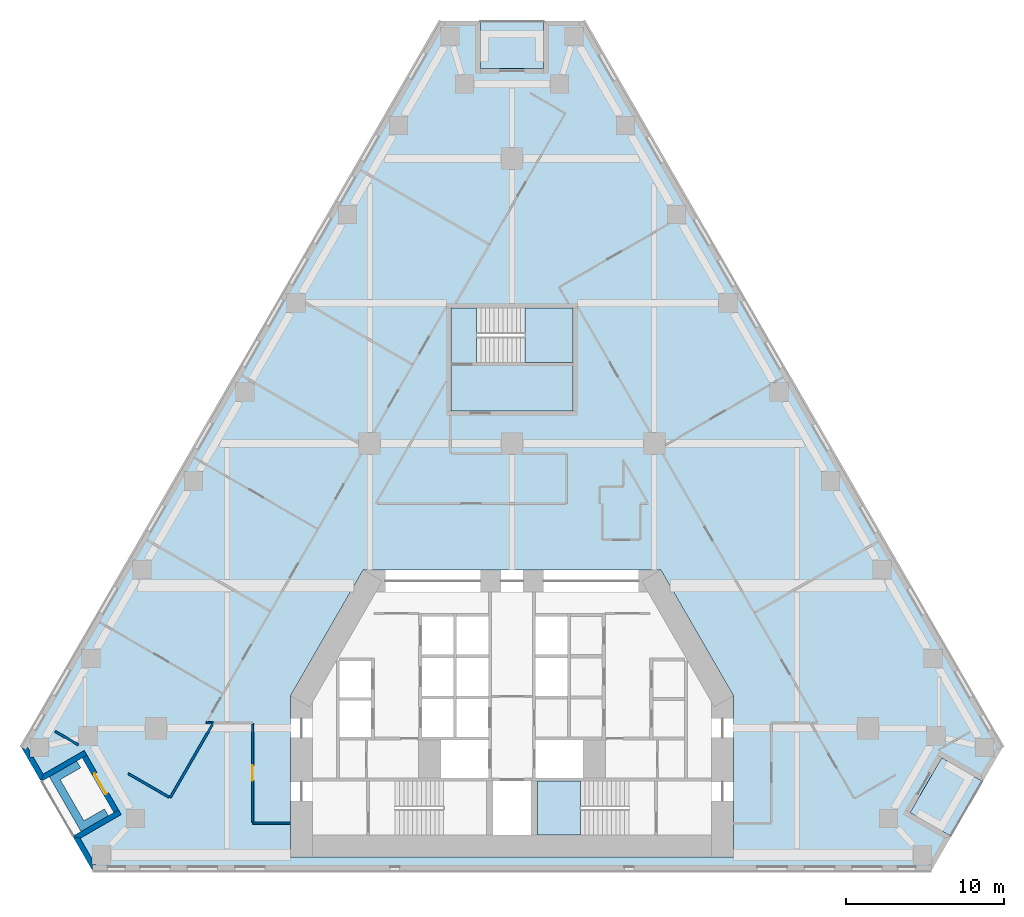
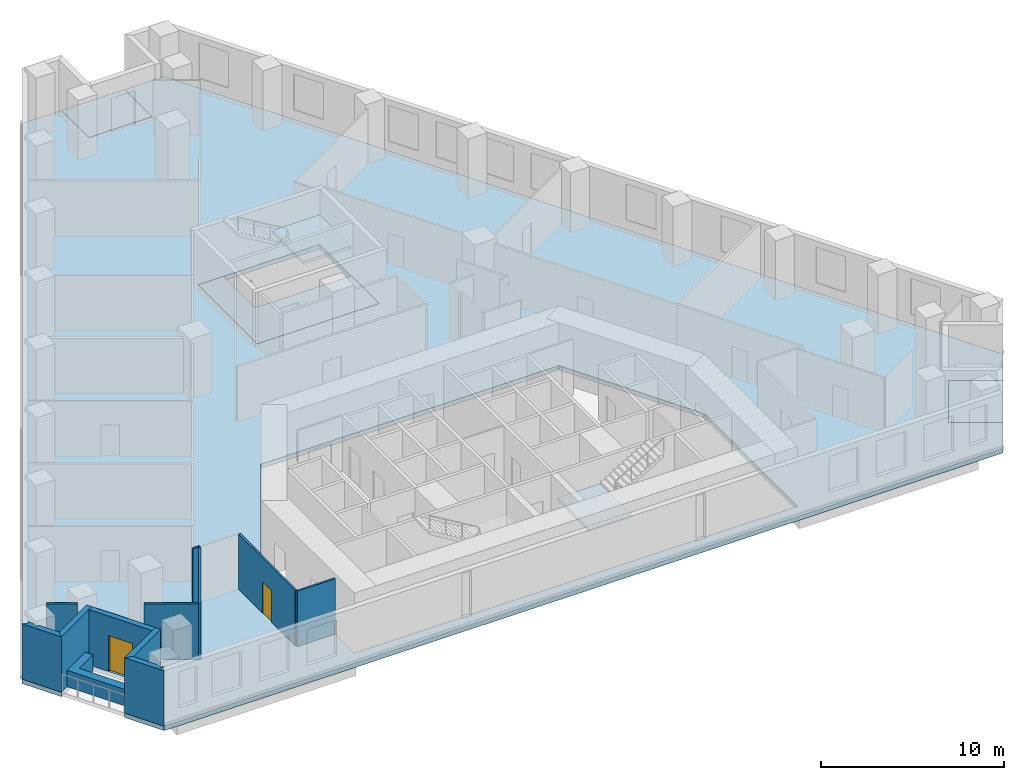
# One storey, part 2 of 9: 12 walls, 6 slabs, 2 doors, 2 openings, 2 elements without a shape of their own.
"""IFC4 building model written with IfcOpenShell, lengths in metres."""

from ifc_helpers import new_model, si_unit, direction, frame, frame_2d, origin, place, context, subcontext, project, spatial, polyline, rectangle, outline, extrude, material, layer, layer_set, type_object, element, fill, aggregate, save


model = new_model("IFC4")

# Units and contexts
model_context = context("Model", 3, precision=1e-05, world=origin(), true_north=direction((0.0, 1.0)))
body_context = subcontext(model_context, "Body", "Model", "MODEL_VIEW")
ifc_project = project(units=[si_unit("LENGTHUNIT", "METRE"), si_unit("AREAUNIT", "SQUARE_METRE"), si_unit("VOLUMEUNIT", "CUBIC_METRE"), si_unit("PLANEANGLEUNIT", "RADIAN"), si_unit("MASSUNIT", "GRAM", prefix="KILO")], contexts=[model_context])

# Site, building, storey
site_placement = place(None, origin())
site = spatial("IfcSite", under=ifc_project, at=site_placement, CompositionType="ELEMENT")
building_placement = place(site_placement, origin())
building = spatial("IfcBuilding", under=site, at=building_placement, Name="Fogline Exchange Tower", CompositionType="ELEMENT")
storey_placement = place(building_placement, frame((0.0, 0.0, 84.89990234375)))
storey = spatial("IfcBuildingStorey", under=building, at=storey_placement, Name="L18", CompositionType="ELEMENT", Elevation=84.89990234375)

# Slabs
ifc_material_1 = material(Name="Concrete C40", Category="concrete")
ifc_layer_1 = layer(ifc_material_1, 0.25)
ifc_layer_set_1 = layer_set([ifc_layer_1], Name="DK1")
slab_type_1 = type_object("IfcSlabType", Name="DK1", PredefinedType="FLOOR", material=ifc_layer_set_1)
slab_1_placement = place(storey_placement, frame((0.0, 0.0, -0.25)))
element("IfcSlab", 1, at=slab_1_placement, inside=storey, type_object=slab_type_1, Name="Balcony L18 SE", PredefinedType="FLOOR", context=body_context, shape_type="SweptSolid", body=[
    extrude(outline(polyline([(27.760498046875, 2.1650390625), (29.760498046875, 5.629150390625), (27.162353515625, 7.129150390625), (25.162353515625, 3.6650390625), (27.760498046875, 2.1650390625)])), origin(), (0.0, 0.0, 1.0), 0.25),
])
slab_2_placement = place(storey_placement, frame((0.0, 0.0, -0.25)))
element("IfcSlab", 2, at=slab_2_placement, inside=storey, type_object=slab_type_1, Name="Balcony L18 N", PredefinedType="FLOOR", context=body_context, shape_type="SweptSolid", body=[
    extrude(outline(polyline([(2.0, 53.711669921875), (-2.0, 53.711669921875), (-2.0, 50.711669921875), (2.0, 50.711669921875), (2.0, 53.711669921875)])), origin(), (0.0, 0.0, 1.0), 0.25),
])
ifc_layer_2 = layer(ifc_material_1, 0.300048828125)
ifc_layer_set_2 = layer_set([ifc_layer_2], Name="S04")
slab_type_2 = type_object("IfcSlabType", Name="S04", PredefinedType="FLOOR", material=ifc_layer_set_2)
slab_3_placement = place(storey_placement, frame((0.0, 0.0, -0.2998046875)))
element("IfcSlab", 3, at=slab_3_placement, inside=storey, type_object=slab_type_2, Name="SLAB L18", PredefinedType="FLOOR", context=body_context, shape_type="SweptSolid", body=[
    extrude(outline(polyline([(-2.0, 53.711669921875), (-4.5, 53.711669921875), (-31.010498046875, 7.794189453125), (-29.760498046875, 5.629150390625), (-27.162353515625, 7.129150390625), (-25.162353515625, 3.6650390625), (-27.760498046875, 2.1650390625), (-26.510498046875, 0.0), (26.510498046875, 0.0), (27.760498046875, 2.1650390625), (25.162353515625, 3.6650390625), (27.162353515625, 7.129150390625), (29.760498046875, 5.629150390625), (31.010498046875, 7.794189453125), (4.5, 53.711669921875), (2.0, 53.711669921875), (2.0, 50.711669921875), (-2.0, 50.711669921875), (-2.0, 53.711669921875)]), holes=[polyline([(14.0, 11.052490234375), (14.0, 0.85009765625), (-14.0, 0.85009765625), (-14.0, 11.052490234375), (-9.41162109375, 19.0), (9.41162109375, 19.0), (14.0, 11.052490234375)]), polyline([(3.85009765625, 35.556884765625), (3.85009765625, 29.056884765625), (-3.85009765625, 29.056884765625), (-3.85009765625, 35.556884765625), (3.85009765625, 35.556884765625)])]), origin(), (0.0, 0.0, 1.0), 0.2998046875),
])
slab_4_placement = place(storey_placement, frame((0.0, 0.0, -0.2998046875)))
element("IfcSlab", 4, at=slab_4_placement, inside=storey, type_object=slab_type_2, Name="Stair enclosure floor slab", PredefinedType="FLOOR", context=body_context, shape_type="SweptSolid", body=[
    extrude(outline(polyline([(3.85009765625, 29.056884765625), (-3.85009765625, 29.056884765625), (-3.85009765625, 35.556884765625), (-2.239990234375, 35.556884765625), (-2.239990234375, 32.10693359375), (3.85009765625, 32.10693359375), (3.85009765625, 29.056884765625)])), origin(), (0.0, 0.0, 1.0), 0.2998046875),
])

# Stair, slab
stair_type = type_object("IfcStairType", Name="STR24-1667", PredefinedType="HALF_TURN_STAIR", material=ifc_material_1)
stair_1_placement = place(storey_placement, origin())
stair_1 = element("IfcStair", 5, at=stair_1_placement, inside=storey, type_object=stair_type, Name="Stair ST2", PredefinedType="HALF_TURN_STAIR")
ifc_layer_3 = layer(ifc_material_1, 0.199951171875)
ifc_layer_set_3 = layer_set([ifc_layer_3], Name="SL200")
slab_type_3 = type_object("IfcSlabType", Name="SL200", PredefinedType="LANDING", material=ifc_layer_set_3)
slab_5_placement = place(storey_placement, frame((0.0, 0.0, 1.800048828125)))
slab_5 = element("IfcSlab", 6, at=slab_5_placement, type_object=slab_type_3, Name="ST2 landing 1", PredefinedType="LANDING", context=body_context, shape_type="SweptSolid", body=[
    extrude(outline(polyline([(1.60009765625, 2.25), (4.320068359375, 2.25), (4.320068359375, 5.64990234375), (1.60009765625, 5.64990234375), (1.60009765625, 2.25)])), origin(), (0.0, 0.0, 1.0), 0.199951171875),
])
aggregate(stair_1, [slab_5])

stair_2_placement = place(storey_placement, origin())
stair_2 = element("IfcStair", 7, at=stair_2_placement, inside=storey, type_object=stair_type, Name="Stair ST3", PredefinedType="HALF_TURN_STAIR")
slab_6_placement = place(storey_placement, frame((0.0, 0.0, 1.800048828125)))
slab_6 = element("IfcSlab", 8, at=slab_6_placement, type_object=slab_type_3, Name="ST3 landing 1", PredefinedType="LANDING", context=body_context, shape_type="SweptSolid", body=[
    extrude(outline(polyline([(0.830078125, 32.10693359375), (3.85009765625, 32.10693359375), (3.85009765625, 35.556884765625), (0.830078125, 35.556884765625), (0.830078125, 32.10693359375)])), origin(), (0.0, 0.0, 1.0), 0.199951171875),
])
aggregate(stair_2, [slab_6])

# Walls
ifc_material_2 = material(Name="Brick masonry", Category="masonry")
ifc_layer_4 = layer(ifc_material_2, 0.340087890625)
ifc_layer_set_4 = layer_set([ifc_layer_4], Name="FW1")
wall_type_1 = type_object("IfcWallType", Name="FW1", PredefinedType="SOLIDWALL", material=ifc_layer_set_4)
wall_1_placement = place(storey_placement, origin())
element("IfcWall", 9, at=wall_1_placement, inside=storey, type_object=wall_type_1, Name="Brick wall L18 SW-c1", PredefinedType="SOLIDWALL", context=body_context, shape_type="SweptSolid", body=[
    extrude(outline(polyline([(-29.760498046875, 5.6279296875), (-31.011474609375, 7.794921875), (-31.010986328125, 7.79541015625), (-30.71630859375, 7.625), (-30.617919921875, 7.79541015625), (-30.455810546875, 7.5146484375), (-30.455810546875, 7.194091796875), (-30.270751953125, 7.194091796875), (-29.63525390625, 6.09375), (-29.760009765625, 5.6279296875), (-29.760498046875, 5.6279296875)])), origin(), (0.0, 0.0, 1.0), 3.7001953125),
])
wall_2_placement = place(storey_placement, origin())
element("IfcWall", 10, at=wall_2_placement, inside=storey, type_object=wall_type_1, Name="Brick wall L18 SW-s1", PredefinedType="SOLIDWALL", context=body_context, shape_type="SweptSolid", body=[
    extrude(outline(polyline([(-27.03759765625, 7.594482421875), (-26.8671875, 7.298828125), (-27.162109375, 7.128662109375), (-29.760986328125, 5.628173828125), (-29.76123046875, 5.62841796875), (-29.636474609375, 6.093994140625), (-27.03759765625, 7.594482421875)])), origin(), (0.0, 0.0, 1.0), 3.7001953125),
])

# Wall, opening, door
wall_3_placement = place(storey_placement, frame((-27.01513671875, 7.214111328125, 0.0), z_axis=(0.0, 0.0, 1.0), x_axis=(0.49999894854, -0.866026010844, 0.0)))
wall_3 = element("IfcWall", 11, at=wall_3_placement, inside=storey, type_object=wall_type_1, Name="Brick wall L18 SW-bk", PredefinedType="SOLIDWALL", context=body_context, shape_type="SweptSolid", body=[
    extrude(rectangle(XDim=4.0, YDim=0.340087890625, at=frame_2d((2.0, 0.0))), origin(), (0.0, 0.0, 1.0), 3.7001953125),
])
opening_1_placement = place(wall_3_placement, frame((1.25, 0.0, 0.0)))
opening_1 = element("IfcOpeningElement", 12, at=opening_1_placement, cuts=wall_3, Name="Opening T05-E021", PredefinedType="OPENING", context=body_context, shape_type="SweptSolid", body=[
    extrude(rectangle(XDim=1.5, YDim=2.39990234375, at=frame_2d((0.75, 1.199951171875))), frame((0.0, 0.18017578125, 0.0), z_axis=(0.0, -1.0, 0.0), x_axis=(1.0, 0.0, 0.0)), (0.0, 0.0, 1.0), 0.360107421875),
])
ifc_material_3 = material(Name="Aluminium and glass", Category="aluminium")
door_type_1 = type_object("IfcDoorType", Name="ED4", OperationType="SINGLE_SWING_LEFT", PredefinedType="DOOR", material=ifc_material_3)
door_1_placement = place(opening_1_placement, frame((1.5, 0.0, 0.0), z_axis=(0.0, 0.0, 1.0), x_axis=(-1.0, 0.0, 0.0)))
door_1 = element("IfcDoor", 13, at=door_1_placement, inside=storey, type_object=door_type_1, Name="Balcony door L18 SW", OperationType="DOUBLE_DOOR_SINGLE_SWING", OverallHeight=2.39990234375, OverallWidth=1.5, PredefinedType="DOOR", context=body_context, shape_type="SweptSolid", body=[
    extrude(rectangle(XDim=1.5, YDim=2.39990234375, at=frame_2d((0.75, 1.199951171875))), frame((0.0, 0.02490234375, 0.0), z_axis=(0.0, -1.0, 0.0), x_axis=(1.0, 0.0, 0.0)), (0.0, 0.0, 1.0), 0.050048828125),
])
fill(opening_1, door_1)

# Walls
wall_4_placement = place(storey_placement, origin())
element("IfcWall", 14, at=wall_4_placement, inside=storey, type_object=wall_type_1, Name="Brick wall L18 SW-s2", PredefinedType="SOLIDWALL", context=body_context, shape_type="SweptSolid", body=[
    extrude(outline(polyline([(-27.76171875, 2.1650390625), (-25.16259765625, 3.66552734375), (-24.86767578125, 3.8359375), (-24.697021484375, 3.540283203125), (-27.2958984375, 2.0400390625), (-27.76171875, 2.164794921875), (-27.76171875, 2.1650390625)])), origin(), (0.0, 0.0, 1.0), 3.7001953125),
])
wall_5_placement = place(storey_placement, origin())
element("IfcWall", 15, at=wall_5_placement, inside=storey, type_object=wall_type_1, Name="Brick wall L18 SW-c2", PredefinedType="SOLIDWALL", context=body_context, shape_type="SweptSolid", body=[
    extrude(outline(polyline([(-26.533203125, 0.720458984375), (-26.533203125, 0.39990234375), (-26.34814453125, 0.39990234375), (-26.31298828125, 0.33935546875), (-26.509765625, 0.33935546875), (-26.509765625, -0.0009765625), (-26.510498046875, -0.001220703125), (-27.761474609375, 2.165771484375), (-27.76123046875, 2.166015625), (-27.295654296875, 2.041015625), (-26.533203125, 0.720458984375)])), origin(), (0.0, 0.0, 1.0), 3.7001953125),
])
ifc_material_4 = material(Name="Concrete C30", Category="concrete")
ifc_layer_5 = layer(ifc_material_4, 0.199951171875)
ifc_layer_set_5 = layer_set([ifc_layer_5], Name="PL1")
wall_type_2 = type_object("IfcWallType", Name="PL1", PredefinedType="USERDEFINED", material=ifc_layer_set_5)
wall_6_placement = place(storey_placement, origin())
element("IfcWall", 16, at=wall_6_placement, inside=storey, type_object=wall_type_2, Name="PLANTER balcony L18 SW", ObjectType="PLANTER", PredefinedType="USERDEFINED", context=body_context, shape_type="SweptSolid", body=[
    extrude(outline(polyline([(-25.7587890625, 3.898193359375), (-27.057861328125, 3.148193359375), (-28.557861328125, 5.74609375), (-27.2587890625, 6.49609375), (-27.5087890625, 6.92919921875), (-29.24072265625, 5.92919921875), (-28.99072265625, 5.49609375), (-27.24072265625, 2.465087890625), (-26.807861328125, 2.715087890625), (-26.807861328125, 2.715087890625), (-25.5087890625, 3.465087890625), (-25.7587890625, 3.898193359375)])), origin(), (0.0, 0.0, 1.0), 1.10009765625),
])
ifc_material_5 = material(Name="Plasterboard corridor partition with mineral wool, 2 layers each side")
ifc_layer_6 = layer(ifc_material_5, 0.125)
ifc_layer_set_6 = layer_set([ifc_layer_6], Name="PW2")
wall_type_3 = type_object("IfcWallType", Name="PW2", PredefinedType="PARTITIONING", material=ifc_layer_set_6)
wall_7_placement = place(storey_placement, frame((-14.0, 3.0, 0.0), z_axis=(0.0, 0.0, 1.0), x_axis=(-1.0, 0.0, 0.0)))
element("IfcWall", 17, at=wall_7_placement, inside=storey, type_object=wall_type_3, Name="wall-L18-W008", PredefinedType="PARTITIONING", context=body_context, shape_type="SweptSolid", body=[
    extrude(rectangle(XDim=2.39990234375, YDim=0.125, at=frame_2d((1.199951171875, 0.0))), origin(), (0.0, 0.0, 1.0), 3.7001953125),
])

# Wall, opening, door
wall_8_placement = place(storey_placement, frame((-16.39990234375, 3.0625, 0.0), z_axis=(0.0, 0.0, 1.0), x_axis=(0.0, 1.0, 0.0)))
wall_8 = element("IfcWall", 18, at=wall_8_placement, inside=storey, type_object=wall_type_3, Name="wall-L18-W009", PredefinedType="PARTITIONING", context=body_context, shape_type="SweptSolid", body=[
    extrude(rectangle(XDim=6.215087890625, YDim=0.125, at=frame_2d((3.107421875, 0.0))), origin(), (0.0, 0.0, 1.0), 3.7001953125),
])
opening_2_placement = place(wall_8_placement, frame((2.607421875, 0.0, 0.0)))
opening_2 = element("IfcOpeningElement", 19, at=opening_2_placement, cuts=wall_8, Name="Opening T05-D004", PredefinedType="OPENING", context=body_context, shape_type="SweptSolid", body=[
    extrude(rectangle(XDim=1.0, YDim=2.10009765625, at=frame_2d((0.5, 1.050048828125))), frame((0.0, 0.072509765625, 0.0), z_axis=(0.0, -1.0, 0.0), x_axis=(1.0, 0.0, 0.0)), (0.0, 0.0, 1.0), 0.14501953125),
])
ifc_material_6 = material(Name="Fire-rated timber door leaf with steel frame", Category="steel")
door_type_2 = type_object("IfcDoorType", Name="D3", OperationType="SINGLE_SWING_LEFT", PredefinedType="DOOR", material=ifc_material_6)
door_2_placement = place(opening_2_placement, origin())
door_2 = element("IfcDoor", 20, at=door_2_placement, inside=storey, type_object=door_type_2, Name="door-L18-D004", OperationType="SINGLE_SWING_LEFT", OverallHeight=2.10009765625, OverallWidth=1.0, PredefinedType="DOOR", context=body_context, shape_type="SweptSolid", body=[
    extrude(rectangle(XDim=1.0, YDim=2.10009765625, at=frame_2d((0.5, 1.050048828125))), frame((0.0, 0.02490234375, 0.0), z_axis=(0.0, -1.0, 0.0), x_axis=(1.0, 0.0, 0.0)), (0.0, 0.0, 1.0), 0.050048828125),
])
fill(opening_2, door_2)

# Walls
wall_9_placement = place(storey_placement, frame((-18.87109375, 9.340087890625, 0.0), z_axis=(0.0, 0.0, 1.0), x_axis=(-1.0, 0.0, 0.0)))
element("IfcWall", 21, at=wall_9_placement, inside=storey, type_object=wall_type_3, Name="wall-L18-W016", PredefinedType="PARTITIONING", context=body_context, shape_type="SweptSolid", body=[
    extrude(rectangle(XDim=0.4619140625, YDim=0.125, at=frame_2d((0.23095703125, 0.0))), origin(), (0.0, 0.0, 1.0), 3.7001953125),
])
ifc_material_7 = material(Name="Plasterboard demising partition with mineral wool and acoustic board")
ifc_layer_7 = layer(ifc_material_7, 0.14990234375)
ifc_layer_set_7 = layer_set([ifc_layer_7], Name="PW3")
wall_type_4 = type_object("IfcWallType", Name="PW3", PredefinedType="PARTITIONING", material=ifc_layer_set_7)
wall_10_placement = place(storey_placement, frame((-18.92919921875, 9.239501953125, 0.0), z_axis=(0.0, 0.0, 1.0), x_axis=(-0.500020946135, -0.86601331019, 0.0)))
element("IfcWall", 22, at=wall_10_placement, inside=storey, type_object=wall_type_4, Name="wall-L18-W047", PredefinedType="PARTITIONING", context=body_context, shape_type="SweptSolid", body=[
    extrude(rectangle(XDim=5.357177734375, YDim=0.14990234375, at=frame_2d((2.6787109375, 0.0))), origin(), (0.0, 0.0, 1.0), 3.7001953125),
])
wall_11_placement = place(storey_placement, frame((-21.6728515625, 4.6376953125, 0.0), z_axis=(0.0, 0.0, 1.0), x_axis=(-0.866005890814, 0.500033795933, 0.0)))
element("IfcWall", 23, at=wall_11_placement, inside=storey, type_object=wall_type_4, Name="wall-L18-W048", PredefinedType="PARTITIONING", context=body_context, shape_type="SweptSolid", body=[
    extrude(rectangle(XDim=2.986572265625, YDim=0.14990234375, at=frame_2d((1.4931640625, 0.0))), origin(), (0.0, 0.0, 1.0), 3.7001953125),
])
wall_12_placement = place(storey_placement, frame((-27.396240234375, 7.942138671875, 0.0), z_axis=(0.0, 0.0, 1.0), x_axis=(-0.866045800819, 0.499964669636, 0.0)))
element("IfcWall", 24, at=wall_12_placement, inside=storey, type_object=wall_type_4, Name="wall-L18-W049", PredefinedType="PARTITIONING", context=body_context, shape_type="SweptSolid", body=[
    extrude(rectangle(XDim=1.7158203125, YDim=0.14990234375, at=frame_2d((0.85791015625, 0.0))), origin(), (0.0, 0.0, 1.0), 3.7001953125),
])

save(model, "model.ifc")
